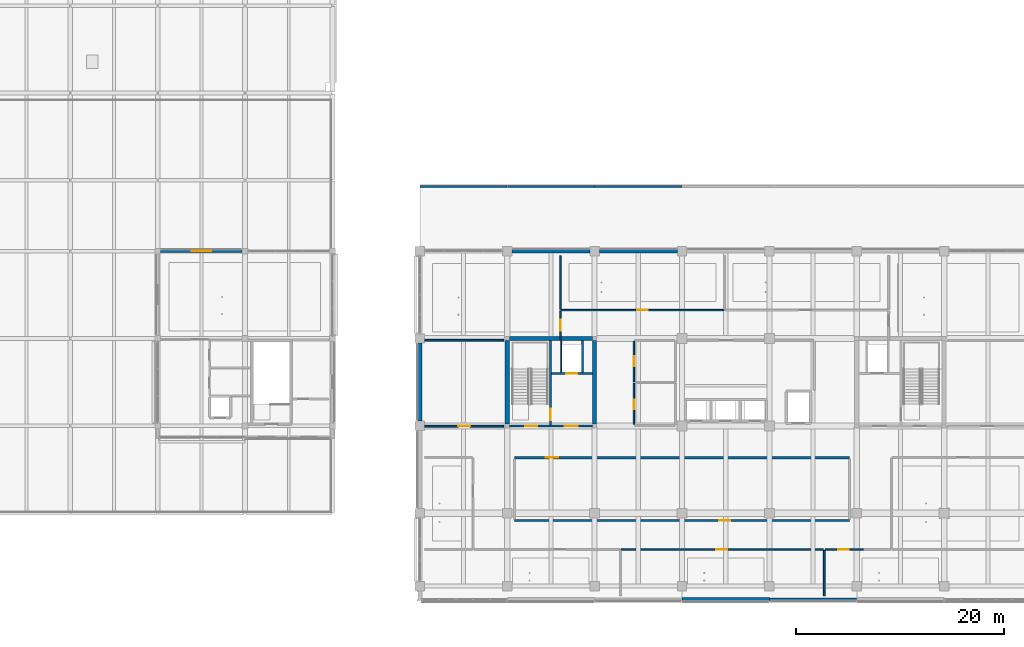
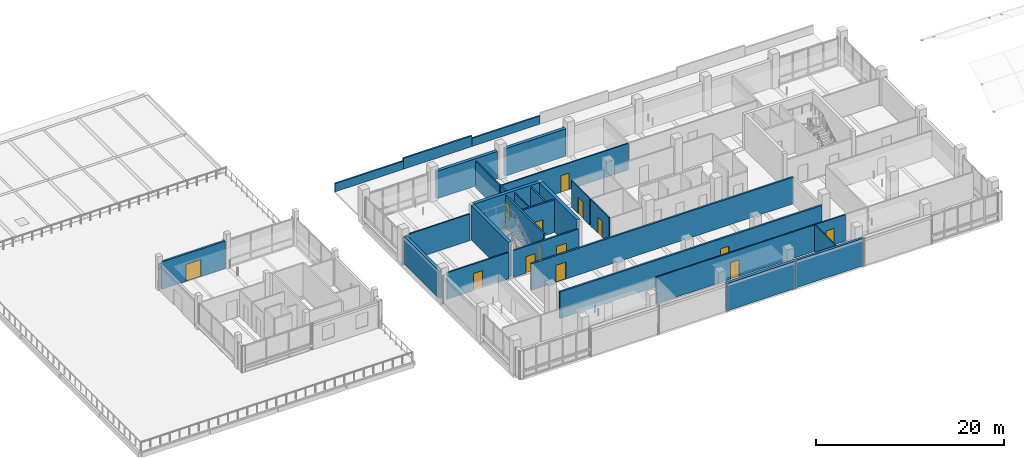
# One storey, part 21 of 59: 29 walls, 14 doors, 14 openings.
"""IFC4 building model written with IfcOpenShell, lengths in metres."""

from ifc_helpers import new_model, si_unit, direction, frame, frame_2d, origin, place, context, subcontext, project, spatial, rectangle, extrude, material, layer, layer_set, type_object, element, fill, save


model = new_model("IFC4")

# Units and contexts
model_context = context("Model", 3, precision=1e-05, world=origin(), true_north=direction((0.0, 1.0)))
body_context = subcontext(model_context, "Body", "Model", "MODEL_VIEW")
ifc_project = project(units=[si_unit("LENGTHUNIT", "METRE"), si_unit("AREAUNIT", "SQUARE_METRE"), si_unit("VOLUMEUNIT", "CUBIC_METRE"), si_unit("PLANEANGLEUNIT", "RADIAN"), si_unit("MASSUNIT", "GRAM", prefix="KILO")], contexts=[model_context])

# Site, building, storey
site_placement = place(None, origin())
site = spatial("IfcSite", under=ifc_project, at=site_placement, CompositionType="ELEMENT")
building_placement = place(site_placement, origin())
building = spatial("IfcBuilding", under=site, at=building_placement, Name="Telukmera Botanical Conservatory", CompositionType="ELEMENT")
storey_placement = place(building_placement, frame((0.0, 0.0, 15.0)))
storey = spatial("IfcBuildingStorey", under=building, at=storey_placement, Name="L03", CompositionType="ELEMENT", Elevation=15.0)

# Wall, opening, door
ifc_material_1 = material(Name="Precast concrete C40/50", Category="concrete")
ifc_layer_1 = layer(ifc_material_1, 0.239990234375)
ifc_layer_set_1 = layer_set([ifc_layer_1], Name="Precast concrete C40/50")
wall_type_1 = type_object("IfcWallType", Name="Exterior Colonnade Recessed Precast Wall 240", PredefinedType="SOLIDWALL", material=ifc_layer_set_1)
wall_1_placement = place(storey_placement, frame((25.47705078125, 42.800048828125, 0.0), z_axis=(0.0, 0.0, 1.0), x_axis=(1.0, 0.0, 0.0)))
wall_1 = element("IfcWall", 1, at=wall_1_placement, inside=storey, type_object=wall_type_1, Name="Exterior Precast Wall EW05 V3:L03:N1", PredefinedType="SOLIDWALL", context=body_context, shape_type="SweptSolid", body=[
    extrude(rectangle(XDim=7.845947265625, YDim=0.239990234375, at=frame_2d((3.9228515625, 0.0))), origin(), (0.0, 0.0, 1.0), 3.550048828125),
])
opening_1_placement = place(wall_1_placement, frame((2.998046875, 0.0, 0.0)))
opening_1 = element("IfcOpeningElement", 2, at=opening_1_placement, cuts=wall_1, Name="Opening DT302", PredefinedType="OPENING", context=body_context, shape_type="SweptSolid", body=[
    extrude(rectangle(XDim=1.85009765625, YDim=2.199951171875, at=frame_2d((0.925048828125, 1.10009765625))), frame((0.0, 0.1298828125, 0.0), z_axis=(0.0, -1.0, 0.0), x_axis=(1.0, 0.0, 0.0)), (0.0, 0.0, 1.0), 0.260009765625),
])
ifc_material_2 = material(Name="Thermally broken anodised aluminium glazed door assembly", Category="aluminium")
door_type_1 = type_object("IfcDoorType", Name="Visitor Lounge North Planted Terrace Glazed Door 1850x2200", OperationType="NOTDEFINED", PredefinedType="DOOR", material=ifc_material_2)
door_1_placement = place(opening_1_placement, origin())
door_1 = element("IfcDoor", 3, at=door_1_placement, inside=storey, type_object=door_type_1, Name="Exterior Door DT302", OperationType="DOUBLE_DOOR_SINGLE_SWING", OverallHeight=2.199951171875, OverallWidth=1.85009765625, PredefinedType="DOOR", context=body_context, shape_type="SweptSolid", body=[
    extrude(rectangle(XDim=1.85009765625, YDim=2.199951171875, at=frame_2d((0.925048828125, 1.10009765625))), frame((0.0, 0.02490234375, 0.0), z_axis=(0.0, -1.0, 0.0), x_axis=(1.0, 0.0, 0.0)), (0.0, 0.0, 1.0), 0.050048828125),
])
fill(opening_1, door_1)

# Walls
ifc_material_3 = material(Name="Terracotta-faced precast concrete C40/50", Category="masonry")
ifc_layer_2 = layer(ifc_material_3, 0.3798828125)
ifc_layer_set_2 = layer_set([ifc_layer_2], Name="Terracotta-faced precast concrete C40/50")
wall_type_2 = type_object("IfcWallType", Name="Exterior Herbarium Vault Insulated Precast Wall 380", PredefinedType="SOLIDWALL", material=ifc_layer_set_2)
wall_2_placement = place(storey_placement, frame((75.60205078125, 9.320068359375, 0.0), z_axis=(0.0, 0.0, 1.0), x_axis=(1.0, 0.0, 0.0)))
element("IfcWall", 4, at=wall_2_placement, inside=storey, type_object=wall_type_2, Name="Exterior Precast Wall EW04 V4:L03:S4", PredefinedType="SOLIDWALL", context=body_context, shape_type="SweptSolid", body=[
    extrude(rectangle(XDim=8.39599609375, YDim=0.3798828125, at=frame_2d((4.197998046875, 0.0))), origin(), (0.0, 0.0, 1.0), 3.550048828125),
])
wall_3_placement = place(storey_placement, frame((59.251953125, 42.800048828125, 0.0), z_axis=(0.0, 0.0, 1.0), x_axis=(1.0, 0.0, 0.0)))
element("IfcWall", 5, at=wall_3_placement, inside=storey, type_object=wall_type_2, Name="Exterior Precast Wall EW04 V4:L03:N2", PredefinedType="SOLIDWALL", context=body_context, shape_type="SweptSolid", body=[
    extrude(rectangle(XDim=7.49609375, YDim=0.3798828125, at=frame_2d((3.748046875, 0.0))), origin(), (0.0, 0.0, 1.0), 3.550048828125),
])
wall_4_placement = place(storey_placement, frame((67.652099609375, 42.800048828125, 0.0), z_axis=(0.0, 0.0, 1.0), x_axis=(1.0, 0.0, 0.0)))
element("IfcWall", 6, at=wall_4_placement, inside=storey, type_object=wall_type_2, Name="Exterior Precast Wall EW04 V4:L03:N3", PredefinedType="SOLIDWALL", context=body_context, shape_type="SweptSolid", body=[
    extrude(rectangle(XDim=7.495849609375, YDim=0.3798828125, at=frame_2d((3.748046875, 0.0))), origin(), (0.0, 0.0, 1.0), 3.550048828125),
])
wall_5_placement = place(storey_placement, frame((50.39990234375, 26.451904296875, 0.0), z_axis=(0.0, 0.0, 1.0), x_axis=(0.0, 1.0, 0.0)))
element("IfcWall", 7, at=wall_5_placement, inside=storey, type_object=wall_type_2, Name="Exterior Precast Wall EW04 V4:L03:W3", PredefinedType="SOLIDWALL", context=body_context, shape_type="SweptSolid", body=[
    extrude(rectangle(XDim=7.49609375, YDim=0.3798828125, at=frame_2d((3.748046875, 0.0))), origin(), (0.0, 0.0, 1.0), 3.550048828125),
])
ifc_layer_3 = layer(ifc_material_3, 0.300048828125)
ifc_layer_set_3 = layer_set([ifc_layer_3], Name="Terracotta-faced precast concrete C40/50")
wall_type_3 = type_object("IfcWallType", Name="Exterior Polychrome Terracotta Precast Wall 300", PredefinedType="SOLIDWALL", material=ifc_layer_set_3)
wall_6_placement = place(storey_placement, frame((84.001953125, 9.320068359375, 0.0), z_axis=(0.0, 0.0, 1.0), x_axis=(1.0, 0.0, 0.0)))
element("IfcWall", 8, at=wall_6_placement, inside=storey, type_object=wall_type_3, Name="Exterior Precast Wall EW02 V4:L03:S5", PredefinedType="SOLIDWALL", context=body_context, shape_type="SweptSolid", body=[
    extrude(rectangle(XDim=8.39599609375, YDim=0.300048828125, at=frame_2d((4.197998046875, 0.0))), origin(), (0.0, 0.0, 1.0), 3.550048828125),
])
ifc_layer_4 = layer(ifc_material_1, 0.199951171875)
ifc_layer_set_4 = layer_set([ifc_layer_4], Name="Precast concrete C40/50")
wall_type_4 = type_object("IfcWallType", Name="Postmodern Stepped Tower Precast Parapet Wall 200", PredefinedType="PARAPET", material=ifc_layer_set_4)
wall_7_placement = place(storey_placement, frame((50.402099609375, 49.0, 0.18994140625), z_axis=(0.0, 0.0, 1.0), x_axis=(1.0, 0.0, 0.0)))
element("IfcWall", 9, at=wall_7_placement, inside=storey, type_object=wall_type_4, Name="Stepped Roof Parapet PW01 V4:L03:N 1", PredefinedType="PARAPET", context=body_context, shape_type="SweptSolid", body=[
    extrude(rectangle(XDim=8.39599609375, YDim=0.199951171875, at=frame_2d((4.197998046875, 0.0))), origin(), (0.0, 0.0, 1.0), 1.06005859375),
])
wall_8_placement = place(storey_placement, frame((58.802001953125, 49.0, 0.18994140625), z_axis=(0.0, 0.0, 1.0), x_axis=(1.0, 0.0, 0.0)))
element("IfcWall", 10, at=wall_8_placement, inside=storey, type_object=wall_type_4, Name="Stepped Roof Parapet PW01 V4:L03:N 2", PredefinedType="PARAPET", context=body_context, shape_type="SweptSolid", body=[
    extrude(rectangle(XDim=8.39599609375, YDim=0.199951171875, at=frame_2d((4.197998046875, 0.0))), origin(), (0.0, 0.0, 1.0), 1.41015625),
])
wall_9_placement = place(storey_placement, frame((67.201904296875, 49.0, 0.18994140625), z_axis=(0.0, 0.0, 1.0), x_axis=(1.0, 0.0, 0.0)))
element("IfcWall", 11, at=wall_9_placement, inside=storey, type_object=wall_type_4, Name="Stepped Roof Parapet PW01 V4:L03:N 3", PredefinedType="PARAPET", context=body_context, shape_type="SweptSolid", body=[
    extrude(rectangle(XDim=8.39599609375, YDim=0.199951171875, at=frame_2d((4.197998046875, 0.0))), origin(), (0.0, 0.0, 1.0), 1.06005859375),
])

# Wall, openings, doors
ifc_material_4 = material(Name="Concrete C40/50", Category="concrete")
ifc_layer_5 = layer(ifc_material_4, 0.199951171875)
ifc_layer_set_5 = layer_set([ifc_layer_5], Name="Concrete C40/50")
wall_type_5 = type_object("IfcWallType", Name="WT-CORE-200", PredefinedType="SOLIDWALL", material=ifc_layer_set_5)
wall_10_placement = place(storey_placement, frame((59.0, 26.0, 0.0), z_axis=(0.0, 0.0, 1.0), x_axis=(1.0, 0.0, 0.0)))
wall_10 = element("IfcWall", 12, at=wall_10_placement, inside=storey, type_object=wall_type_5, Name="L03 Core C1 South Fire Wall", PredefinedType="SOLIDWALL", context=body_context, shape_type="SweptSolid", body=[
    extrude(rectangle(XDim=8.0, YDim=0.199951171875, at=frame_2d((4.0, 0.0))), origin(), (0.0, 0.0, 1.0), 3.47998046875),
])
opening_2_placement = place(wall_10_placement, frame((1.550048828125, 0.0, 0.0)))
opening_2 = element("IfcOpeningElement", 13, at=opening_2_placement, cuts=wall_10, Name="Opening FD60A", PredefinedType="OPENING", context=body_context, shape_type="SweptSolid", body=[
    extrude(rectangle(XDim=1.14990234375, YDim=2.14990234375, at=frame_2d((0.574951171875, 1.074951171875))), frame((0.0, 0.10986328125, 0.0), z_axis=(0.0, -1.0, 0.0), x_axis=(1.0, 0.0, 0.0)), (0.0, 0.0, 1.0), 0.219970703125),
])
opening_3_placement = place(wall_10_placement, frame((5.35009765625, 0.0, 0.0)))
opening_3 = element("IfcOpeningElement", 14, at=opening_3_placement, cuts=wall_10, Name="Opening FD60C", PredefinedType="OPENING", context=body_context, shape_type="SweptSolid", body=[
    extrude(rectangle(XDim=1.219970703125, YDim=2.14990234375, at=frame_2d((0.60986328125, 1.074951171875))), frame((0.0, 0.10986328125, 0.0), z_axis=(0.0, -1.0, 0.0), x_axis=(1.0, 0.0, 0.0)), (0.0, 0.0, 1.0), 0.219970703125),
])
ifc_material_5 = material(Name="Hardwood fire door", Category="wood")
door_type_2 = type_object("IfcDoorType", Name="DT-FD60-01", OperationType="NOTDEFINED", PredefinedType="DOOR", material=ifc_material_5)
door_2_placement = place(opening_2_placement, origin())
door_2 = element("IfcDoor", 15, at=door_2_placement, inside=storey, type_object=door_type_2, Name="L03 Stair ST1 Escape Door", OperationType="SINGLE_SWING_RIGHT", OverallHeight=2.14990234375, OverallWidth=1.14990234375, PredefinedType="DOOR", context=body_context, shape_type="SweptSolid", body=[
    extrude(rectangle(XDim=1.14990234375, YDim=2.14990234375, at=frame_2d((0.574951171875, 1.074951171875))), frame((0.0, 0.02490234375, 0.0), z_axis=(0.0, -1.0, 0.0), x_axis=(1.0, 0.0, 0.0)), (0.0, 0.0, 1.0), 0.050048828125),
])
fill(opening_2, door_2)
door_type_3 = type_object("IfcDoorType", Name="DT-FD60-03", OperationType="NOTDEFINED", PredefinedType="DOOR", material=ifc_material_5)
door_3_placement = place(opening_3_placement, origin())
door_3 = element("IfcDoor", 16, at=door_3_placement, inside=storey, type_object=door_type_3, Name="L03 Firefighting Lobby C1 Door", OperationType="SINGLE_SWING_LEFT", OverallHeight=2.14990234375, OverallWidth=1.219970703125, PredefinedType="DOOR", context=body_context, shape_type="SweptSolid", body=[
    extrude(rectangle(XDim=1.219970703125, YDim=2.14990234375, at=frame_2d((0.60986328125, 1.074951171875))), frame((0.0, 0.02490234375, 0.0), z_axis=(0.0, -1.0, 0.0), x_axis=(1.0, 0.0, 0.0)), (0.0, 0.0, 1.0), 0.050048828125),
])
fill(opening_3, door_3)

# Wall, opening, door
wall_11_placement = place(storey_placement, frame((62.949951171875, 26.10009765625, 0.0), z_axis=(0.0, 0.0, 1.0), x_axis=(0.0, 1.0, 0.0)))
wall_11 = element("IfcWall", 17, at=wall_11_placement, inside=storey, type_object=wall_type_5, Name="L03 Core C1 Stair-Lobby Wall", PredefinedType="SOLIDWALL", context=body_context, shape_type="SweptSolid", body=[
    extrude(rectangle(XDim=8.099853515625, YDim=0.199951171875, at=frame_2d((4.0498046875, 0.0))), origin(), (0.0, 0.0, 1.0), 4.25),
])
opening_4_placement = place(wall_11_placement, frame((0.449951171875, 0.0, 0.0)))
opening_4 = element("IfcOpeningElement", 18, at=opening_4_placement, cuts=wall_11, Name="Opening FD60B", PredefinedType="OPENING", context=body_context, shape_type="SweptSolid", body=[
    extrude(rectangle(XDim=1.1201171875, YDim=2.14990234375, at=frame_2d((0.56005859375, 1.074951171875))), frame((0.0, 0.10986328125, 0.0), z_axis=(0.0, -1.0, 0.0), x_axis=(1.0, 0.0, 0.0)), (0.0, 0.0, 1.0), 0.219970703125),
])
door_type_4 = type_object("IfcDoorType", Name="DT-FD60-02", OperationType="NOTDEFINED", PredefinedType="DOOR", material=ifc_material_5)
door_4_placement = place(opening_4_placement, origin())
door_4 = element("IfcDoor", 19, at=door_4_placement, inside=storey, type_object=door_type_4, Name="L03 Firefighting Lobby C1 to ST1 Door", OperationType="SINGLE_SWING_RIGHT", OverallHeight=2.14990234375, OverallWidth=1.1201171875, PredefinedType="DOOR", context=body_context, shape_type="SweptSolid", body=[
    extrude(rectangle(XDim=1.1201171875, YDim=2.14990234375, at=frame_2d((0.56005859375, 1.074951171875))), frame((0.0, 0.02490234375, 0.0), z_axis=(0.0, -1.0, 0.0), x_axis=(1.0, 0.0, 0.0)), (0.0, 0.0, 1.0), 0.050048828125),
])
fill(opening_4, door_4)

wall_12_placement = place(storey_placement, frame((63.050048828125, 31.050048828125, 0.0), z_axis=(0.0, 0.0, 1.0), x_axis=(1.0, 0.0, 0.0)))
wall_12 = element("IfcWall", 20, at=wall_12_placement, inside=storey, type_object=wall_type_5, Name="L03 Fire Lift FL1 Shaft Front Wall", PredefinedType="SOLIDWALL", context=body_context, shape_type="SweptSolid", body=[
    extrude(rectangle(XDim=3.949951171875, YDim=0.199951171875, at=frame_2d((1.97509765625, 0.0))), origin(), (0.0, 0.0, 1.0), 4.25),
])
opening_5_placement = place(wall_12_placement, frame((1.39990234375, 0.0, 0.0)))
opening_5 = element("IfcOpeningElement", 21, at=opening_5_placement, cuts=wall_12, Name="Opening LD01", PredefinedType="OPENING", context=body_context, shape_type="SweptSolid", body=[
    extrude(rectangle(XDim=1.10009765625, YDim=2.14990234375, at=frame_2d((0.550048828125, 1.074951171875))), frame((0.0, 0.10986328125, 0.0), z_axis=(0.0, -1.0, 0.0), x_axis=(1.0, 0.0, 0.0)), (0.0, 0.0, 1.0), 0.219970703125),
])
ifc_material_6 = material(Name="Stainless steel 316", Category="steel")
door_type_5 = type_object("IfcDoorType", Name="DT-LD01", OperationType="SLIDING_TO_LEFT", PredefinedType="DOOR", material=ifc_material_6)
door_5_placement = place(opening_5_placement, frame((1.10009765625, 0.0, 0.0), z_axis=(0.0, 0.0, 1.0), x_axis=(-1.0, 0.0, 0.0)))
door_5 = element("IfcDoor", 22, at=door_5_placement, inside=storey, type_object=door_type_5, Name="L03 Lift Landing Door FL1", OperationType="SLIDING_TO_LEFT", OverallHeight=2.14990234375, OverallWidth=1.10009765625, PredefinedType="DOOR", context=body_context, shape_type="SweptSolid", body=[
    extrude(rectangle(XDim=1.10009765625, YDim=2.14990234375, at=frame_2d((0.550048828125, 1.074951171875))), frame((0.0, 0.02490234375, 0.0), z_axis=(0.0, -1.0, 0.0), x_axis=(1.0, 0.0, 0.0)), (0.0, 0.0, 1.0), 0.050048828125),
])
fill(opening_5, door_5)

# Wall
wall_13_placement = place(storey_placement, frame((66.02001953125, 31.14990234375, 0.0), z_axis=(0.0, 0.0, 1.0), x_axis=(0.0, 1.0, 0.0)))
element("IfcWall", 23, at=wall_13_placement, inside=storey, type_object=wall_type_5, Name="L03 Fire Lift FL1 Shaft East Wall", PredefinedType="SOLIDWALL", context=body_context, shape_type="SweptSolid", body=[
    extrude(rectangle(XDim=3.050048828125, YDim=0.199951171875, at=frame_2d((1.52490234375, 0.0))), origin(), (0.0, 0.0, 1.0), 4.25),
])

# Wall, opening, door
ifc_material_7 = material(Name="Blockwork masonry", Category="masonry")
ifc_layer_6 = layer(ifc_material_7, 0.169921875)
ifc_layer_set_6 = layer_set([ifc_layer_6], Name="Blockwork masonry")
wall_type_6 = type_object("IfcWallType", Name="WT-PLANT-170", PredefinedType="PARTITIONING", material=ifc_layer_set_6)
wall_14_placement = place(storey_placement, frame((50.8798828125, 25.97509765625, 0.0), z_axis=(0.0, 0.0, 1.0), x_axis=(1.0, 0.0, 0.0)))
wall_14 = element("IfcWall", 24, at=wall_14_placement, inside=storey, type_object=wall_type_6, Name="L03 Interior Partition 16", PredefinedType="PARTITIONING", context=body_context, shape_type="SweptSolid", body=[
    extrude(rectangle(XDim=7.570068359375, YDim=0.169921875, at=frame_2d((3.78515625, 0.0))), origin(), (0.0, 0.0, 1.0), 3.449951171875),
])
opening_6_placement = place(wall_14_placement, frame((3.215087890625, 0.0, 0.0)))
opening_6 = element("IfcOpeningElement", 25, at=opening_6_placement, cuts=wall_14, Name="Opening ID10", PredefinedType="OPENING", context=body_context, shape_type="SweptSolid", body=[
    extrude(rectangle(XDim=1.139892578125, YDim=2.219970703125, at=frame_2d((0.56982421875, 1.10986328125))), frame((0.0, 0.094970703125, 0.0), z_axis=(0.0, -1.0, 0.0), x_axis=(1.0, 0.0, 0.0)), (0.0, 0.0, 1.0), 0.18994140625),
])
ifc_material_8 = material(Name="Sealed steel herbarium door", Category="steel")
door_type_6 = type_object("IfcDoorType", Name="DT-HERB-114", OperationType="NOTDEFINED", PredefinedType="DOOR", material=ifc_material_8)
door_6_placement = place(opening_6_placement, origin())
door_6 = element("IfcDoor", 26, at=door_6_placement, inside=storey, type_object=door_type_6, Name="L03 Dry Specimen Quarantine Room Door", OperationType="SINGLE_SWING_RIGHT", OverallHeight=2.219970703125, OverallWidth=1.139892578125, PredefinedType="DOOR", context=body_context, shape_type="SweptSolid", body=[
    extrude(rectangle(XDim=1.139892578125, YDim=2.219970703125, at=frame_2d((0.56982421875, 1.10986328125))), frame((0.0, 0.02490234375, 0.0), z_axis=(0.0, -1.0, 0.0), x_axis=(1.0, 0.0, 0.0)), (0.0, 0.0, 1.0), 0.050048828125),
])
fill(opening_6, door_6)

# Walls
wall_15_placement = place(storey_placement, frame((50.8798828125, 34.22509765625, 0.0), z_axis=(0.0, 0.0, 1.0), x_axis=(1.0, 0.0, 0.0)))
element("IfcWall", 27, at=wall_15_placement, inside=storey, type_object=wall_type_6, Name="L03 Interior Partition 17", PredefinedType="PARTITIONING", context=body_context, shape_type="SweptSolid", body=[
    extrude(rectangle(XDim=7.570068359375, YDim=0.169921875, at=frame_2d((3.78515625, 0.0))), origin(), (0.0, 0.0, 1.0), 3.449951171875),
])
ifc_material_9 = material(Name="Gypsum shaftwall liner")
ifc_layer_7 = layer(ifc_material_9, 0.110107421875)
ifc_layer_set_7 = layer_set([ifc_layer_7], Name="Gypsum shaftwall liner")
wall_type_7 = type_object("IfcWallType", Name="WT-RISER-110", PredefinedType="PARTITIONING", material=ifc_layer_set_7)
wall_16_placement = place(storey_placement, frame((63.97998046875, 31.14990234375, 0.0), z_axis=(0.0, 0.0, 1.0), x_axis=(0.0, 1.0, 0.0)))
element("IfcWall", 28, at=wall_16_placement, inside=storey, type_object=wall_type_7, Name="L03 Wet Riser C1 Shaft Wall", PredefinedType="PARTITIONING", context=body_context, shape_type="SweptSolid", body=[
    extrude(rectangle(XDim=3.050048828125, YDim=0.110107421875, at=frame_2d((1.52490234375, 0.0))), origin(), (0.0, 0.0, 1.0), 4.25),
])

# Wall, opening, door
ifc_material_10 = material(Name="Gypsum acoustic stud partition")
ifc_layer_8 = layer(ifc_material_10, 0.14990234375)
ifc_layer_set_8 = layer_set([ifc_layer_8], Name="Gypsum acoustic stud partition")
wall_type_8 = type_object("IfcWallType", Name="WT-STD-150", PredefinedType="PARTITIONING", material=ifc_layer_set_8)
wall_17_placement = place(storey_placement, frame((69.75, 14.125, 0.0), z_axis=(0.0, 0.0, 1.0), x_axis=(1.0, 0.0, 0.0)))
wall_17 = element("IfcWall", 29, at=wall_17_placement, inside=storey, type_object=wall_type_8, Name="L03 Interior Partition 27", PredefinedType="PARTITIONING", context=body_context, shape_type="SweptSolid", body=[
    extrude(rectangle(XDim=19.449951171875, YDim=0.14990234375, at=frame_2d((9.72509765625, 0.0))), origin(), (0.0, 0.0, 1.0), 3.449951171875),
])
opening_7_placement = place(wall_17_placement, frame((9.129638671875, 0.0, 0.0)))
opening_7 = element("IfcOpeningElement", 30, at=opening_7_placement, cuts=wall_17, Name="Opening ID13", PredefinedType="OPENING", context=body_context, shape_type="SweptSolid", body=[
    extrude(rectangle(XDim=1.0400390625, YDim=2.14990234375, at=frame_2d((0.52001953125, 1.074951171875))), frame((0.0, 0.0849609375, 0.0), z_axis=(0.0, -1.0, 0.0), x_axis=(1.0, 0.0, 0.0)), (0.0, 0.0, 1.0), 0.169921875),
])
ifc_material_11 = material(Name="Hardwood curation studio door", Category="wood")
door_type_7 = type_object("IfcDoorType", Name="DT-CUR-104", OperationType="NOTDEFINED", PredefinedType="DOOR", material=ifc_material_11)
door_7_placement = place(opening_7_placement, frame((1.0400390625, 0.0, 0.0), z_axis=(0.0, 0.0, 1.0), x_axis=(-1.0, 0.0, 0.0)))
door_7 = element("IfcDoor", 31, at=door_7_placement, inside=storey, type_object=door_type_7, Name="L03 Herbarium Digitization Studio Door", OperationType="SINGLE_SWING_LEFT", OverallHeight=2.14990234375, OverallWidth=1.0400390625, PredefinedType="DOOR", context=body_context, shape_type="SweptSolid", body=[
    extrude(rectangle(XDim=1.0400390625, YDim=2.14990234375, at=frame_2d((0.52001953125, 1.074951171875))), frame((0.0, 0.02490234375, 0.0), z_axis=(0.0, -1.0, 0.0), x_axis=(1.0, 0.0, 0.0)), (0.0, 0.0, 1.0), 0.050048828125),
])
fill(opening_7, door_7)

wall_18_placement = place(storey_placement, frame((89.35009765625, 14.125, 0.0), z_axis=(0.0, 0.0, 1.0), x_axis=(1.0, 0.0, 0.0)))
wall_18 = element("IfcWall", 32, at=wall_18_placement, inside=storey, type_object=wall_type_8, Name="L03 Interior Partition 28", PredefinedType="PARTITIONING", context=body_context, shape_type="SweptSolid", body=[
    extrude(rectangle(XDim=3.68994140625, YDim=0.14990234375, at=frame_2d((1.844970703125, 0.0))), origin(), (0.0, 0.0, 1.0), 3.449951171875),
])
opening_8_placement = place(wall_18_placement, frame((1.27197265625, 0.0, 0.0)))
opening_8 = element("IfcOpeningElement", 33, at=opening_8_placement, cuts=wall_18, Name="Opening ID14", PredefinedType="OPENING", context=body_context, shape_type="SweptSolid", body=[
    extrude(rectangle(XDim=1.0, YDim=2.14990234375, at=frame_2d((0.5, 1.074951171875))), frame((0.0, 0.0849609375, 0.0), z_axis=(0.0, -1.0, 0.0), x_axis=(1.0, 0.0, 0.0)), (0.0, 0.0, 1.0), 0.169921875),
])
ifc_material_12 = material(Name="Acoustic timber office door", Category="wood")
door_type_8 = type_object("IfcDoorType", Name="DT-WRT-100", OperationType="NOTDEFINED", PredefinedType="DOOR", material=ifc_material_12)
door_8_placement = place(opening_8_placement, frame((1.0, 0.0, 0.0), z_axis=(0.0, 0.0, 1.0), x_axis=(-1.0, 0.0, 0.0)))
door_8 = element("IfcDoor", 34, at=door_8_placement, inside=storey, type_object=door_type_8, Name="L03 Specimen Mounting Studio Door", OperationType="SINGLE_SWING_RIGHT", OverallHeight=2.14990234375, OverallWidth=1.0, PredefinedType="DOOR", context=body_context, shape_type="SweptSolid", body=[
    extrude(rectangle(XDim=1.0, YDim=2.14990234375, at=frame_2d((0.5, 1.074951171875))), frame((0.0, 0.02490234375, 0.0), z_axis=(0.0, -1.0, 0.0), x_axis=(1.0, 0.0, 0.0)), (0.0, 0.0, 1.0), 0.050048828125),
])
fill(opening_8, door_8)

# Wall
wall_19_placement = place(storey_placement, frame((89.27490234375, 9.64990234375, 0.0), z_axis=(0.0, 0.0, 1.0), x_axis=(0.0, 1.0, 0.0)))
element("IfcWall", 35, at=wall_19_placement, inside=storey, type_object=wall_type_8, Name="L03 Interior Partition 32", PredefinedType="PARTITIONING", context=body_context, shape_type="SweptSolid", body=[
    extrude(rectangle(XDim=4.39013671875, YDim=0.14990234375, at=frame_2d((2.195068359375, 0.0))), origin(), (0.0, 0.0, 1.0), 3.449951171875),
])

# Wall, opening, door
wall_20_placement = place(storey_placement, frame((63.925048828125, 34.300048828125, 0.0), z_axis=(0.0, 0.0, 1.0), x_axis=(0.0, 1.0, 0.0)))
wall_20 = element("IfcWall", 36, at=wall_20_placement, inside=storey, type_object=wall_type_8, Name="L03 Interior Partition 33", PredefinedType="PARTITIONING", context=body_context, shape_type="SweptSolid", body=[
    extrude(rectangle(XDim=2.75, YDim=0.14990234375, at=frame_2d((1.375, 0.0))), origin(), (0.0, 0.0, 1.0), 3.449951171875),
])
opening_9_placement = place(wall_20_placement, frame((0.85498046875, 0.0, 0.0)))
opening_9 = element("IfcOpeningElement", 37, at=opening_9_placement, cuts=wall_20, Name="Opening ID13", PredefinedType="OPENING", context=body_context, shape_type="SweptSolid", body=[
    extrude(rectangle(XDim=1.0400390625, YDim=2.14990234375, at=frame_2d((0.52001953125, 1.074951171875))), frame((0.0, 0.0849609375, 0.0), z_axis=(0.0, -1.0, 0.0), x_axis=(1.0, 0.0, 0.0)), (0.0, 0.0, 1.0), 0.169921875),
])
door_9_placement = place(opening_9_placement, origin())
door_9 = element("IfcDoor", 38, at=door_9_placement, inside=storey, type_object=door_type_7, Name="L03 Pteridophyte Curation Studio Door", OperationType="SINGLE_SWING_LEFT", OverallHeight=2.14990234375, OverallWidth=1.0400390625, PredefinedType="DOOR", context=body_context, shape_type="SweptSolid", body=[
    extrude(rectangle(XDim=1.0400390625, YDim=2.14990234375, at=frame_2d((0.52001953125, 1.074951171875))), frame((0.0, 0.02490234375, 0.0), z_axis=(0.0, -1.0, 0.0), x_axis=(1.0, 0.0, 0.0)), (0.0, 0.0, 1.0), 0.050048828125),
])
fill(opening_9, door_9)

wall_21_placement = place(storey_placement, frame((64.010009765625, 37.125, 0.0), z_axis=(0.0, 0.0, 1.0), x_axis=(1.0, 0.0, 0.0)))
wall_21 = element("IfcWall", 39, at=wall_21_placement, inside=storey, type_object=wall_type_8, Name="L03 Interior Partition 34", PredefinedType="PARTITIONING", context=body_context, shape_type="SweptSolid", body=[
    extrude(rectangle(XDim=15.590087890625, YDim=0.14990234375, at=frame_2d((7.794921875, 0.0))), origin(), (0.0, 0.0, 1.0), 3.449951171875),
])
opening_10_placement = place(wall_21_placement, frame((7.294921875, 0.0, 0.0)))
opening_10 = element("IfcOpeningElement", 40, at=opening_10_placement, cuts=wall_21, Name="Opening ID14", PredefinedType="OPENING", context=body_context, shape_type="SweptSolid", body=[
    extrude(rectangle(XDim=1.0, YDim=2.14990234375, at=frame_2d((0.5, 1.074951171875))), frame((0.0, 0.0849609375, 0.0), z_axis=(0.0, -1.0, 0.0), x_axis=(1.0, 0.0, 0.0)), (0.0, 0.0, 1.0), 0.169921875),
])
door_10_placement = place(opening_10_placement, origin())
door_10 = element("IfcDoor", 41, at=door_10_placement, inside=storey, type_object=door_type_8, Name="L03 Angiosperm Systematics Studio Door", OperationType="SINGLE_SWING_RIGHT", OverallHeight=2.14990234375, OverallWidth=1.0, PredefinedType="DOOR", context=body_context, shape_type="SweptSolid", body=[
    extrude(rectangle(XDim=1.0, YDim=2.14990234375, at=frame_2d((0.5, 1.074951171875))), frame((0.0, 0.02490234375, 0.0), z_axis=(0.0, -1.0, 0.0), x_axis=(1.0, 0.0, 0.0)), (0.0, 0.0, 1.0), 0.050048828125),
])
fill(opening_10, door_10)

# Wall
wall_22_placement = place(storey_placement, frame((63.925048828125, 37.199951171875, 0.0), z_axis=(0.0, 0.0, 1.0), x_axis=(0.0, 1.0, 0.0)))
element("IfcWall", 42, at=wall_22_placement, inside=storey, type_object=wall_type_8, Name="L03 Interior Partition 37", PredefinedType="PARTITIONING", context=body_context, shape_type="SweptSolid", body=[
    extrude(rectangle(XDim=5.150146484375, YDim=0.14990234375, at=frame_2d((2.5751953125, 0.0))), origin(), (0.0, 0.0, 1.0), 3.449951171875),
])

# Wall, opening, door
ifc_layer_9 = layer(ifc_material_4, 0.219970703125)
ifc_layer_set_9 = layer_set([ifc_layer_9], Name="Concrete C40/50")
wall_type_9 = type_object("IfcWallType", Name="WT-VAULT-220", PredefinedType="SOLIDWALL", material=ifc_layer_set_9)
wall_23_placement = place(storey_placement, frame((59.5, 22.949951171875, 0.0), z_axis=(0.0, 0.0, 1.0), x_axis=(1.0, 0.0, 0.0)))
wall_23 = element("IfcWall", 43, at=wall_23_placement, inside=storey, type_object=wall_type_9, Name="L03 Herbarium Vault North 2hr Wall", PredefinedType="SOLIDWALL", context=body_context, shape_type="SweptSolid", body=[
    extrude(rectangle(XDim=32.199951171875, YDim=0.219970703125, at=frame_2d((16.10009765625, 0.0))), origin(), (0.0, 0.0, 1.0), 3.449951171875),
])
opening_11_placement = place(wall_23_placement, frame((3.0, 0.0, 0.0)))
opening_11 = element("IfcOpeningElement", 44, at=opening_11_placement, cuts=wall_23, Name="Opening FD120A", PredefinedType="OPENING", context=body_context, shape_type="SweptSolid", body=[
    extrude(rectangle(XDim=1.199951171875, YDim=2.199951171875, at=frame_2d((0.60009765625, 1.10009765625))), frame((0.0, 0.119873046875, 0.0), z_axis=(0.0, -1.0, 0.0), x_axis=(1.0, 0.0, 0.0)), (0.0, 0.0, 1.0), 0.239990234375),
])
ifc_material_13 = material(Name="Galvanised steel fire door", Category="steel")
door_type_9 = type_object("IfcDoorType", Name="DT-FD120-01", OperationType="NOTDEFINED", PredefinedType="DOOR", material=ifc_material_13)
door_11_placement = place(opening_11_placement, origin())
door_11 = element("IfcDoor", 45, at=door_11_placement, inside=storey, type_object=door_type_9, Name="L03 Herbarium Vault West FD120S Door", OperationType="SINGLE_SWING_LEFT", OverallHeight=2.199951171875, OverallWidth=1.199951171875, PredefinedType="DOOR", context=body_context, shape_type="SweptSolid", body=[
    extrude(rectangle(XDim=1.199951171875, YDim=2.199951171875, at=frame_2d((0.60009765625, 1.10009765625))), frame((0.0, 0.02490234375, 0.0), z_axis=(0.0, -1.0, 0.0), x_axis=(1.0, 0.0, 0.0)), (0.0, 0.0, 1.0), 0.050048828125),
])
fill(opening_11, door_11)

wall_24_placement = place(storey_placement, frame((59.5, 16.89990234375, 0.0), z_axis=(0.0, 0.0, 1.0), x_axis=(1.0, 0.0, 0.0)))
wall_24 = element("IfcWall", 46, at=wall_24_placement, inside=storey, type_object=wall_type_9, Name="L03 Herbarium Vault South 2hr Wall", PredefinedType="SOLIDWALL", context=body_context, shape_type="SweptSolid", body=[
    extrude(rectangle(XDim=32.199951171875, YDim=0.219970703125, at=frame_2d((16.10009765625, 0.0))), origin(), (0.0, 0.0, 1.0), 3.449951171875),
])
opening_12_placement = place(wall_24_placement, frame((19.699951171875, 0.0, 0.0)))
opening_12 = element("IfcOpeningElement", 47, at=opening_12_placement, cuts=wall_24, Name="Opening FD120B", PredefinedType="OPENING", context=body_context, shape_type="SweptSolid", body=[
    extrude(rectangle(XDim=1.050048828125, YDim=2.14990234375, at=frame_2d((0.52490234375, 1.074951171875))), frame((0.0, 0.119873046875, 0.0), z_axis=(0.0, -1.0, 0.0), x_axis=(1.0, 0.0, 0.0)), (0.0, 0.0, 1.0), 0.239990234375),
])
door_type_10 = type_object("IfcDoorType", Name="DT-FD120-02", OperationType="NOTDEFINED", PredefinedType="DOOR", material=ifc_material_13)
door_12_placement = place(opening_12_placement, frame((1.050048828125, 0.0, 0.0), z_axis=(0.0, 0.0, 1.0), x_axis=(-1.0, 0.0, 0.0)))
door_12 = element("IfcDoor", 48, at=door_12_placement, inside=storey, type_object=door_type_10, Name="L03 Herbarium Vault South FD120S Door", OperationType="SINGLE_SWING_RIGHT", OverallHeight=2.14990234375, OverallWidth=1.050048828125, PredefinedType="DOOR", context=body_context, shape_type="SweptSolid", body=[
    extrude(rectangle(XDim=1.050048828125, YDim=2.14990234375, at=frame_2d((0.52490234375, 1.074951171875))), frame((0.0, 0.02490234375, 0.0), z_axis=(0.0, -1.0, 0.0), x_axis=(1.0, 0.0, 0.0)), (0.0, 0.0, 1.0), 0.050048828125),
])
fill(opening_12, door_12)

ifc_material_14 = material(Name="Moisture-resistant blockwork", Category="masonry")
ifc_layer_10 = layer(ifc_material_14, 0.135009765625)
ifc_layer_set_10 = layer_set([ifc_layer_10], Name="Moisture-resistant blockwork")
wall_type_10 = type_object("IfcWallType", Name="WT-WC-135", PredefinedType="PARTITIONING", material=ifc_layer_set_10)
wall_25_placement = place(storey_placement, frame((70.97509765625, 26.14990234375, 0.0), z_axis=(0.0, 0.0, 1.0), x_axis=(0.0, 1.0, 0.0)))
wall_25 = element("IfcWall", 49, at=wall_25_placement, inside=storey, type_object=wall_type_10, Name="L03 Interior Partition 08", PredefinedType="PARTITIONING", context=body_context, shape_type="SweptSolid", body=[
    extrude(rectangle(XDim=3.9501953125, YDim=0.135009765625, at=frame_2d((1.97509765625, 0.0))), origin(), (0.0, 0.0, 1.0), 3.449951171875),
])
opening_13_placement = place(wall_25_placement, frame((1.440673828125, 0.0, 0.0)))
opening_13 = element("IfcOpeningElement", 50, at=opening_13_placement, cuts=wall_25, Name="Opening ID17", PredefinedType="OPENING", context=body_context, shape_type="SweptSolid", body=[
    extrude(rectangle(XDim=0.919921875, YDim=2.1201171875, at=frame_2d((0.4599609375, 1.06005859375))), frame((0.0, 0.077392578125, 0.0), z_axis=(0.0, -1.0, 0.0), x_axis=(1.0, 0.0, 0.0)), (0.0, 0.0, 1.0), 0.155029296875),
])
ifc_material_15 = material(Name="Moisture-resistant laminate WC door")
door_type_11 = type_object("IfcDoorType", Name="DT-WC-092", OperationType="NOTDEFINED", PredefinedType="DOOR", material=ifc_material_15)
door_13_placement = place(opening_13_placement, origin())
door_13 = element("IfcDoor", 51, at=door_13_placement, inside=storey, type_object=door_type_11, Name="L03 Public WC Door", OperationType="SINGLE_SWING_LEFT", OverallHeight=2.1201171875, OverallWidth=0.919921875, PredefinedType="DOOR", context=body_context, shape_type="SweptSolid", body=[
    extrude(rectangle(XDim=0.919921875, YDim=2.1201171875, at=frame_2d((0.4599609375, 1.06005859375))), frame((0.0, 0.02490234375, 0.0), z_axis=(0.0, -1.0, 0.0), x_axis=(1.0, 0.0, 0.0)), (0.0, 0.0, 1.0), 0.050048828125),
])
fill(opening_13, door_13)

wall_26_placement = place(storey_placement, frame((70.97509765625, 30.25, 0.0), z_axis=(0.0, 0.0, 1.0), x_axis=(0.0, 1.0, 0.0)))
wall_26 = element("IfcWall", 52, at=wall_26_placement, inside=storey, type_object=wall_type_10, Name="L03 Interior Partition 09", PredefinedType="PARTITIONING", context=body_context, shape_type="SweptSolid", body=[
    extrude(rectangle(XDim=3.89990234375, YDim=0.135009765625, at=frame_2d((1.949951171875, 0.0))), origin(), (0.0, 0.0, 1.0), 3.449951171875),
])
opening_14_placement = place(wall_26_placement, frame((1.4599609375, 0.0, 0.0)))
opening_14 = element("IfcOpeningElement", 53, at=opening_14_placement, cuts=wall_26, Name="Opening ID15", PredefinedType="OPENING", context=body_context, shape_type="SweptSolid", body=[
    extrude(rectangle(XDim=0.97998046875, YDim=2.14990234375, at=frame_2d((0.489990234375, 1.074951171875))), frame((0.0, 0.077392578125, 0.0), z_axis=(0.0, -1.0, 0.0), x_axis=(1.0, 0.0, 0.0)), (0.0, 0.0, 1.0), 0.155029296875),
])
ifc_material_16 = material(Name="Accessible sanitary laminate door")
door_type_12 = type_object("IfcDoorType", Name="DT-OKU-098", OperationType="NOTDEFINED", PredefinedType="DOOR", material=ifc_material_16)
door_14_placement = place(opening_14_placement, origin())
door_14 = element("IfcDoor", 54, at=door_14_placement, inside=storey, type_object=door_type_12, Name="L03 Accessible WC Door", OperationType="SINGLE_SWING_RIGHT", OverallHeight=2.14990234375, OverallWidth=0.97998046875, PredefinedType="DOOR", context=body_context, shape_type="SweptSolid", body=[
    extrude(rectangle(XDim=0.97998046875, YDim=2.14990234375, at=frame_2d((0.489990234375, 1.074951171875))), frame((0.0, 0.02490234375, 0.0), z_axis=(0.0, -1.0, 0.0), x_axis=(1.0, 0.0, 0.0)), (0.0, 0.0, 1.0), 0.050048828125),
])
fill(opening_14, door_14)

# Walls
ifc_material_17 = material(Name="Concrete C50/60", Category="concrete")
ifc_layer_11 = layer(ifc_material_17, 0.39990234375)
ifc_layer_set_11 = layer_set([ifc_layer_11], Name="Concrete C50/60")
wall_type_11 = type_object("IfcWallType", Name="Wall_CW1", PredefinedType="SHEAR", material=ifc_layer_set_11)
for number, where, z_axis, x_axis, name in (
    (55, (58.800048828125, 26.199951171875, 0.0), (0.0, 0.0, 1.0), (0.0, 1.0, 0.0), "Core C1 Shear Wall West L03"),
    (56, (67.199951171875, 26.199951171875, 0.0), (0.0, 0.0, 1.0), (0.0, 1.0, 0.0), "Core C1 Shear Wall East L03"),
    (57, (59.0, 34.39990234375, 0.0), (0.0, 0.0, 1.0), (1.0, 0.0, 0.0), "Core C1 Shear Wall North L03"),
):
    element("IfcWall", number, at=place(storey_placement, frame(where, z_axis=z_axis, x_axis=x_axis)), inside=storey, type_object=wall_type_11, Name=name, PredefinedType="SHEAR", context=body_context, shape_type="SweptSolid", body=[
        extrude(rectangle(XDim=8.0, YDim=0.39990234375, at=frame_2d((4.0, 0.0))), origin(), (0.0, 0.0, 1.0), 4.5),
    ])

save(model, "model.ifc")
